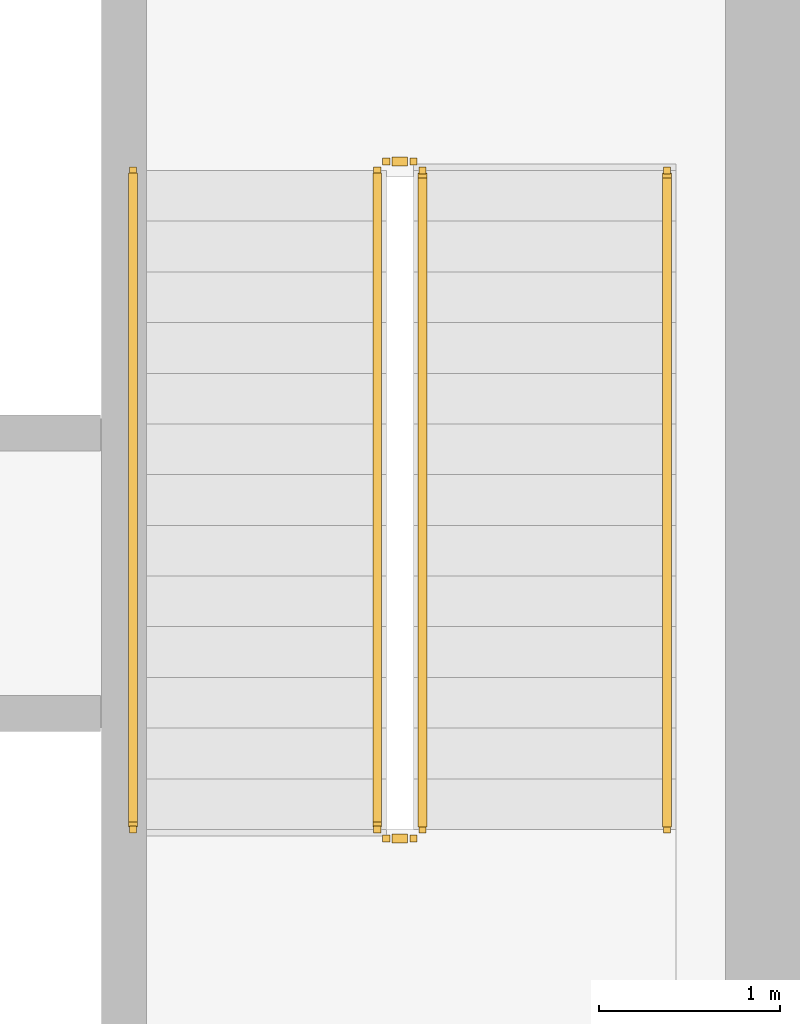
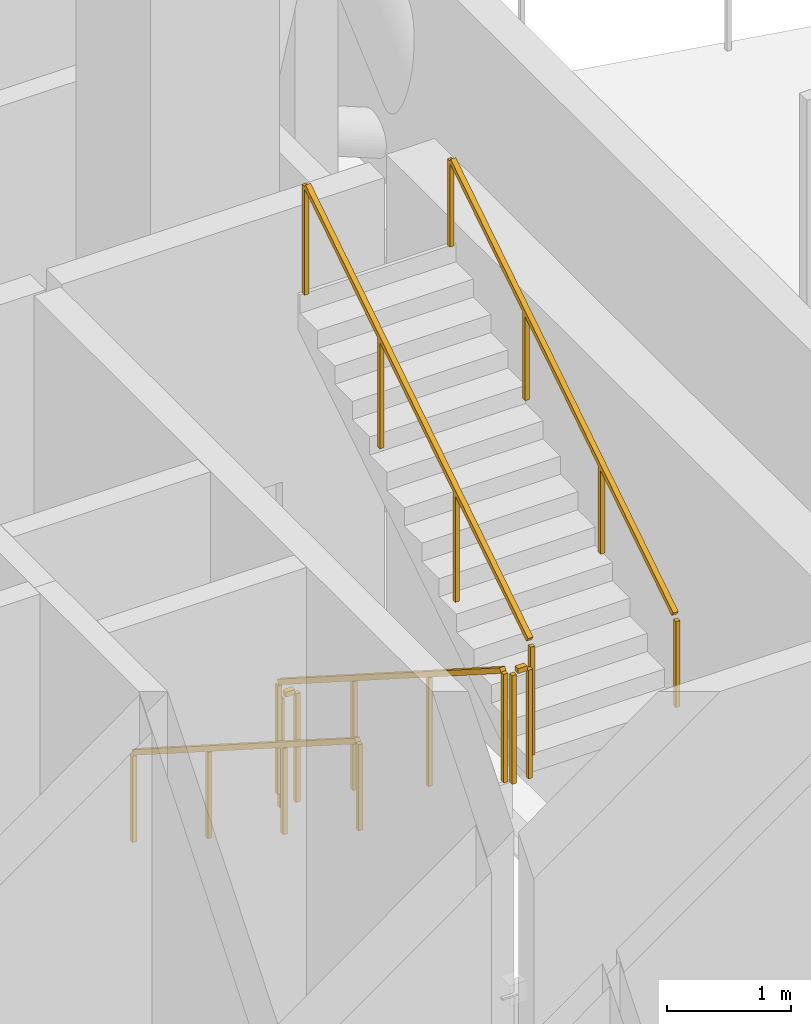
# One storey, part 14 of 15: 6 railings.
"""IFC4 building model written with IfcOpenShell, lengths in metres."""

from ifc_helpers import new_model, si_unit, direction, frame, origin, origin_2d, place, context, subcontext, project, spatial, rectangle, extrude, material, type_object, element, save


model = new_model("IFC4")

# Units and contexts
model_context = context("Model", 3, precision=1e-05, world=origin(), true_north=direction((0.0, 1.0)))
body_context = subcontext(model_context, "Body", "Model", "MODEL_VIEW")
ifc_project = project(units=[si_unit("LENGTHUNIT", "METRE"), si_unit("AREAUNIT", "SQUARE_METRE"), si_unit("VOLUMEUNIT", "CUBIC_METRE"), si_unit("PLANEANGLEUNIT", "RADIAN"), si_unit("MASSUNIT", "GRAM", prefix="KILO")], contexts=[model_context])

# Site, building, storey
site_placement = place(None, origin())
site = spatial("IfcSite", under=ifc_project, at=site_placement, CompositionType="ELEMENT")
building_placement = place(site_placement, origin())
building = spatial("IfcBuilding", under=site, at=building_placement, Name="Tharavind Bronze Gate", CompositionType="ELEMENT")
storey_placement = place(building_placement, frame((0.0, 0.0, 222.050048828125)))
storey = spatial("IfcBuildingStorey", under=building, at=storey_placement, Name="L57", CompositionType="ELEMENT", Elevation=222.050048828125)

# Railings
ifc_material = material(Name="Brushed Bronze Alloy", Category="metal")
railing_type_1 = type_object("IfcRailingType", Name="STAIR BRONZE HANDRAIL 900", PredefinedType="HANDRAIL", material=ifc_material)
railing_1_placement = place(storey_placement, frame((5.39990234375, 2.25, 0.178466796875)))
element("IfcRailing", 1, at=railing_1_placement, inside=storey, type_object=railing_type_1, Name="L57 ST2 stair handrail 1", PredefinedType="HANDRAIL", context=body_context, shape_type="SweptSolid", body=[
    extrude(rectangle(XDim=0.048095703125, YDim=0.048095703125, at=origin_2d()), frame((0.0, -0.027099609375, 0.89306640625), z_axis=(0.0, -0.843111507901, 0.53773877045), x_axis=(1.0, 0.0, 0.0)), (0.0, 0.0, 1.0), 4.253173828125),
    extrude(rectangle(XDim=0.0400390625, YDim=0.0400390625, at=origin_2d()), origin(), (0.0, 0.0, 1.0), 0.847900390625),
    extrude(rectangle(XDim=0.0400390625, YDim=0.0400390625, at=origin_2d()), frame((0.0, -1.21337890625, 0.77392578125)), (0.0, 0.0, 1.0), 0.847900390625),
    extrude(rectangle(XDim=0.0400390625, YDim=0.0400390625, at=origin_2d()), frame((0.0, -2.426513671875, 1.547607421875)), (0.0, 0.0, 1.0), 0.847900390625),
    extrude(rectangle(XDim=0.0400390625, YDim=0.0400390625, at=origin_2d()), frame((0.0, -3.639892578125, 2.321533203125)), (0.0, 0.0, 1.0), 0.847900390625),
])
railing_2_placement = place(storey_placement, frame((8.35009765625, -1.389892578125, 2.678466796875)))
element("IfcRailing", 2, at=railing_2_placement, inside=storey, type_object=railing_type_1, Name="L57 ST2 stair handrail 2", PredefinedType="HANDRAIL", context=body_context, shape_type="SweptSolid", body=[
    extrude(rectangle(XDim=0.048095703125, YDim=0.048095703125, at=origin_2d()), frame((0.0, 0.027099609375, 0.89306640625), z_axis=(0.0, 0.843111507901, 0.53773877045), x_axis=(-1.0, 0.0, 0.0)), (0.0, 0.0, 1.0), 4.253173828125),
    extrude(rectangle(XDim=0.0400390625, YDim=0.0400390625, at=origin_2d()), origin(), (0.0, 0.0, 1.0), 0.847900390625),
    extrude(rectangle(XDim=0.0400390625, YDim=0.0400390625, at=origin_2d()), frame((0.0, 1.21337890625, 0.77392578125)), (0.0, 0.0, 1.0), 0.847900390625),
    extrude(rectangle(XDim=0.0400390625, YDim=0.0400390625, at=origin_2d()), frame((0.0, 2.426513671875, 1.547607421875)), (0.0, 0.0, 1.0), 0.847900390625),
    extrude(rectangle(XDim=0.0400390625, YDim=0.0400390625, at=origin_2d()), frame((0.0, 3.639892578125, 2.321533203125)), (0.0, 0.0, 1.0), 0.847900390625),
])
railing_type_2 = type_object("IfcRailingType", Name="STAIR WELL GUARD RAILING 1120", PredefinedType="GUARDRAIL", material=ifc_material)
railing_3_placement = place(storey_placement, frame((6.75, 2.25, 0.178466796875)))
element("IfcRailing", 3, at=railing_3_placement, inside=storey, type_object=railing_type_2, Name="L57 ST2 stair guard 1", PredefinedType="GUARDRAIL", context=body_context, shape_type="SweptSolid", body=[
    extrude(rectangle(XDim=0.048095703125, YDim=0.048095703125, at=origin_2d()), frame((0.0, -0.027099609375, 1.11328125), z_axis=(0.0, -0.843111507901, 0.53773877045), x_axis=(1.0, 0.0, 0.0)), (0.0, 0.0, 1.0), 4.253173828125),
    extrude(rectangle(XDim=0.0400390625, YDim=0.0400390625, at=origin_2d()), origin(), (0.0, 0.0, 1.0), 1.068115234375),
    extrude(rectangle(XDim=0.0400390625, YDim=0.0400390625, at=origin_2d()), frame((0.0, -1.21337890625, 0.77392578125)), (0.0, 0.0, 1.0), 1.068115234375),
    extrude(rectangle(XDim=0.0400390625, YDim=0.0400390625, at=origin_2d()), frame((0.0, -2.426513671875, 1.547607421875)), (0.0, 0.0, 1.0), 1.068115234375),
    extrude(rectangle(XDim=0.0400390625, YDim=0.0400390625, at=origin_2d()), frame((0.0, -3.639892578125, 2.321533203125)), (0.0, 0.0, 1.0), 1.068115234375),
])
railing_4_placement = place(storey_placement, frame((6.800048828125, -1.43994140625, 2.5)))
element("IfcRailing", 4, at=railing_4_placement, inside=storey, type_object=railing_type_2, Name="L57 ST2 stair guard 2", PredefinedType="GUARDRAIL", context=body_context, shape_type="SweptSolid", body=[
    extrude(rectangle(XDim=0.048095703125, YDim=0.048095703125, at=origin_2d()), frame((0.031982421875, 0.0, 1.09619140625), z_axis=(1.0, 0.0, 0.0), x_axis=(0.0, 1.0, 0.0)), (0.0, 0.0, 1.0), 0.0859375),
    extrude(rectangle(XDim=0.0400390625, YDim=0.0400390625, at=origin_2d()), origin(), (0.0, 0.0, 1.0), 1.068115234375),
    extrude(rectangle(XDim=0.0400390625, YDim=0.0400390625, at=origin_2d()), frame((0.14990234375, 0.0, 0.0)), (0.0, 0.0, 1.0), 1.068115234375),
])
railing_5_placement = place(storey_placement, frame((7.0, -1.389892578125, 2.678466796875)))
element("IfcRailing", 5, at=railing_5_placement, inside=storey, type_object=railing_type_2, Name="L57 ST2 stair guard 3", PredefinedType="GUARDRAIL", context=body_context, shape_type="SweptSolid", body=[
    extrude(rectangle(XDim=0.048095703125, YDim=0.048095703125, at=origin_2d()), frame((0.0, 0.027099609375, 1.11328125), z_axis=(0.0, 0.843111507901, 0.53773877045), x_axis=(-1.0, 0.0, 0.0)), (0.0, 0.0, 1.0), 4.253173828125),
    extrude(rectangle(XDim=0.0400390625, YDim=0.0400390625, at=origin_2d()), origin(), (0.0, 0.0, 1.0), 1.068115234375),
    extrude(rectangle(XDim=0.0400390625, YDim=0.0400390625, at=origin_2d()), frame((0.0, 1.21337890625, 0.77392578125)), (0.0, 0.0, 1.0), 1.068115234375),
    extrude(rectangle(XDim=0.0400390625, YDim=0.0400390625, at=origin_2d()), frame((0.0, 2.426513671875, 1.547607421875)), (0.0, 0.0, 1.0), 1.068115234375),
    extrude(rectangle(XDim=0.0400390625, YDim=0.0400390625, at=origin_2d()), frame((0.0, 3.639892578125, 2.321533203125)), (0.0, 0.0, 1.0), 1.068115234375),
])
railing_6_placement = place(storey_placement, frame((6.800048828125, 2.300048828125, 0.0)))
element("IfcRailing", 6, at=railing_6_placement, inside=storey, type_object=railing_type_2, Name="L57 ST2 stair guard 4", PredefinedType="GUARDRAIL", context=body_context, shape_type="SweptSolid", body=[
    extrude(rectangle(XDim=0.048095703125, YDim=0.048095703125, at=origin_2d()), frame((0.031982421875, 0.0, 1.09619140625), z_axis=(1.0, 0.0, 0.0), x_axis=(0.0, 1.0, 0.0)), (0.0, 0.0, 1.0), 0.0859375),
    extrude(rectangle(XDim=0.0400390625, YDim=0.0400390625, at=origin_2d()), origin(), (0.0, 0.0, 1.0), 1.068115234375),
    extrude(rectangle(XDim=0.0400390625, YDim=0.0400390625, at=origin_2d()), frame((0.14990234375, 0.0, 0.0)), (0.0, 0.0, 1.0), 1.068115234375),
])

save(model, "model.ifc")
